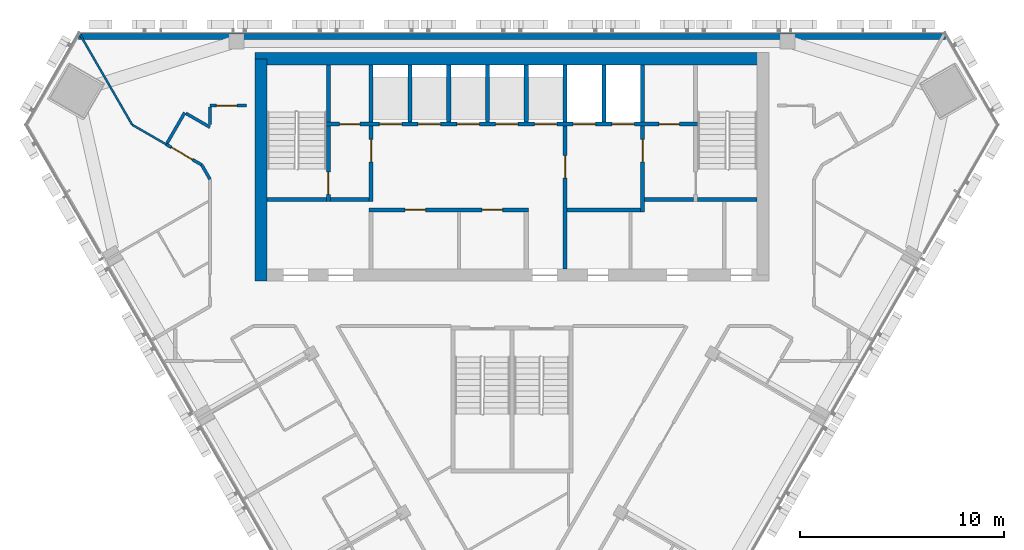
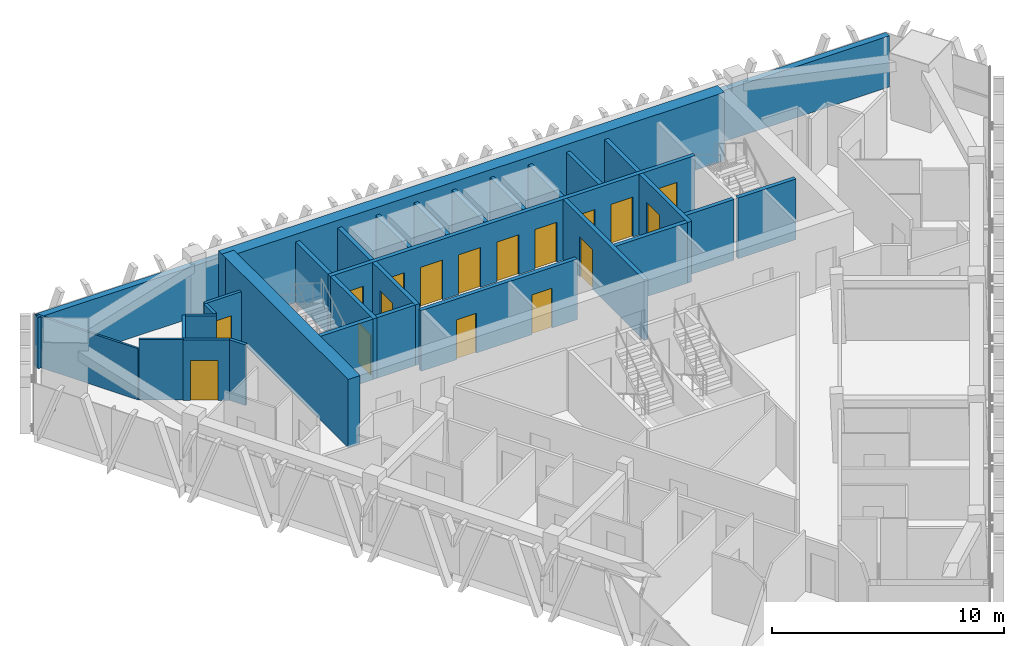
# One storey, part 10 of 15: 31 walls, 17 doors, 17 openings.
"""IFC4 building model written with IfcOpenShell, lengths in metres."""

import ifcopenshell
import ifcopenshell.guid

model = None  # the IFC model being written
_history = None  # IfcOwnerHistory: only IFC2X3 demands one
_inside = {}  # id of a spatial element -> (the spatial element, [elements in it])
_under = {}  # id of a project, library or spatial element -> (it, [spatial elements below it])
_declared = {}  # id of a project -> (the project, [libraries it declares])
_typed = {}  # id of a type object -> (the type object, [elements of that type])
_made_of = {}  # id of a material, layer set ... -> (it, [elements and type objects made of it])


def new_model(schema):
    """Start an empty IFC model of exactly this schema.

    Asked for "IFC4X3", IfcOpenShell would pick the latest addendum, in which some entities
    have other attributes; the version numbers below select the first issue.
    IFC2X3 requires an IfcOwnerHistory on every rooted entity: one is made here for all.
    """
    global model, _history
    if schema == "IFC4X3":
        model = ifcopenshell.file(schema_version=(4, 3, 0, 0))
    else:
        model = ifcopenshell.file(schema=schema)
    _inside.clear()
    _under.clear()
    _declared.clear()
    _typed.clear()
    _made_of.clear()
    _history = None
    if model.schema == "IFC2X3":
        org = make("IfcOrganization", Name="unknown")
        user = make(
            "IfcPersonAndOrganization",
            ThePerson=make("IfcPerson", FamilyName="unknown"),
            TheOrganization=org,
        )
        app = make(
            "IfcApplication",
            ApplicationDeveloper=org,
            Version="unknown",
            ApplicationFullName="unknown",
            ApplicationIdentifier="unknown",
        )
        _history = make(
            "IfcOwnerHistory",
            OwningUser=user,
            OwningApplication=app,
            ChangeAction="ADDED",
            CreationDate=0,
        )
    return model


def make(cls, **values):
    """One entity of the class cls with the attributes given. An attribute that is None is left unset."""
    return model.create_entity(
        cls, **{name: value for name, value in values.items() if value is not None}
    )


def rooted(cls, **values):
    """An entity with a GlobalId (a new one), such as an element, a storey or a relation."""
    return make(cls, GlobalId=ifcopenshell.guid.new(), OwnerHistory=_history, **values)


def si_unit(unit_type, name, prefix=None):
    """IfcSIUnit, for example si_unit("LENGTHUNIT", "METRE", prefix="MILLI")."""
    return make("IfcSIUnit", UnitType=unit_type, Prefix=prefix, Name=name)


def assignment(units):
    """IfcUnitAssignment: the units of a project."""
    return None if units is None else make("IfcUnitAssignment", Units=units)


def point(xyz):
    """IfcCartesianPoint."""
    return None if xyz is None else make("IfcCartesianPoint", Coordinates=xyz)


def direction(xyz):
    """IfcDirection."""
    return None if xyz is None else make("IfcDirection", DirectionRatios=xyz)


def frame(location, z_axis=None, x_axis=None):
    """IfcAxis2Placement3D, a coordinate frame: its origin and axes. An axis left out is left unset."""
    return make(
        "IfcAxis2Placement3D",
        Location=point(location),
        Axis=direction(z_axis),
        RefDirection=direction(x_axis),
    )


def frame_2d(location, x_axis=None):
    """IfcAxis2Placement2D, a coordinate frame in the plane: its origin and x axis."""
    return make(
        "IfcAxis2Placement2D", Location=point(location), RefDirection=direction(x_axis)
    )


def origin():
    """The frame at (0, 0, 0) with its axes left unset."""
    return frame((0.0, 0.0, 0.0))


def place(relative_to, where):
    """IfcLocalPlacement: puts the frame where relative to a parent placement (None: the world)."""
    return make(
        "IfcLocalPlacement", PlacementRelTo=relative_to, RelativePlacement=where
    )


def context(
    kind, dimensions, precision=None, world=None, true_north=None, identifier=None
):
    """IfcGeometricRepresentationContext, for example the 3D "Model" context."""
    return make(
        "IfcGeometricRepresentationContext",
        ContextIdentifier=identifier,
        ContextType=kind,
        CoordinateSpaceDimension=dimensions,
        Precision=precision,
        WorldCoordinateSystem=world,
        TrueNorth=true_north,
    )


def subcontext(parent, identifier, kind, view, scale=None):
    """IfcGeometricRepresentationSubContext, for example "Body" below "Model"."""
    return make(
        "IfcGeometricRepresentationSubContext",
        ContextIdentifier=identifier,
        ContextType=kind,
        ParentContext=parent,
        TargetScale=scale,
        TargetView=view,
    )


def project(units=None, contexts=None):
    """IfcProject with its units and contexts."""
    return rooted(
        "IfcProject",
        Name="project",
        RepresentationContexts=contexts,
        UnitsInContext=assignment(units),
    )


def spatial(cls, under=None, at=None, **own):
    """A site, building, storey or space (cls), placed at a placement, below another one or the project."""
    s = rooted(cls, ObjectPlacement=at, **own)
    if under is not None:
        _under.setdefault(under.id(), (under, []))[1].append(s)
    return s


def profile(cls, at=None, kind="AREA", **sizes):
    """A parametric profile (cls). Its sizes go by their IFC names, for example OverallWidth=200.0."""
    return make(cls, ProfileType=kind, Position=at, **sizes)


def rectangle(**sizes):
    """IfcRectangleProfileDef."""
    return profile("IfcRectangleProfileDef", **sizes)


def extrude(swept, where, along, depth):
    """IfcExtrudedAreaSolid: the profile swept, set in the frame where, extruded along a direction by depth."""
    return make(
        "IfcExtrudedAreaSolid",
        SweptArea=swept,
        Position=where,
        ExtrudedDirection=direction(along),
        Depth=depth,
    )


def shape(context_of_items, identifier, shape_type, items):
    """IfcShapeRepresentation: the items that make up one representation, for example the "Body"."""
    return make(
        "IfcShapeRepresentation",
        ContextOfItems=context_of_items,
        RepresentationIdentifier=identifier,
        RepresentationType=shape_type,
        Items=items,
    )


def material(Name=None, Category=None):
    """IfcMaterial."""
    return make("IfcMaterial", Name=Name, Category=Category)


def layer(
    of_material, thickness, ventilated=None, Name=None, Category=None, Priority=None
):
    """IfcMaterialLayer: one layer of a wall or slab, of a material (None: an air gap)."""
    return make(
        "IfcMaterialLayer",
        Material=of_material,
        LayerThickness=thickness,
        IsVentilated=ventilated,
        Name=Name,
        Category=Category,
        Priority=Priority,
    )


def layer_set(layers, Name=None):
    """IfcMaterialLayerSet."""
    return make("IfcMaterialLayerSet", MaterialLayers=layers, LayerSetName=Name)


def made_of(thing, what):
    """Note that an element or type object is made of a material, layer set ...; save() writes the relation."""
    if what is not None:
        _made_of.setdefault(what.id(), (what, []))[1].append(thing)
    return thing


def type_object(cls, material=None, **own):
    """A type object (cls), such as IfcWallType, which elements share."""
    return made_of(rooted(cls, **own), material)


def element(
    cls,
    number,
    at=None,
    inside=None,
    cuts=None,
    type_object=None,
    material=None,
    context=None,
    identifier="Body",
    shape_type=None,
    held_by="IfcProductDefinitionShape",
    body=None,
    shapes=None,
    **own,
):
    """One element of the class cls, such as IfcWall. Its Tag is "e" and its number.

    at: its placement. inside: the storey or other place that contains it. cuts: it is an
    opening in that element (IfcRelVoidsElement). A single representation is given by context,
    identifier, shape_type and body (its items); several are given by shapes. held_by: the class
    of the entity that holds the representations. save() writes the other relations.
    """
    e = rooted(cls, Tag="e%d" % number, ObjectPlacement=at, **own)
    if body is not None:
        shapes = [shape(context, identifier, shape_type, body)]
    if shapes is not None:
        e.Representation = make(held_by, Representations=shapes)
    if inside is not None:
        _inside.setdefault(inside.id(), (inside, []))[1].append(e)
    if cuts is not None:
        rooted(
            "IfcRelVoidsElement", RelatingBuildingElement=cuts, RelatedOpeningElement=e
        )
    if type_object is not None:
        _typed.setdefault(type_object.id(), (type_object, []))[1].append(e)
    return made_of(e, material)


def fill(opening, filler):
    """IfcRelFillsElement: the door or window that sits in an opening."""
    return rooted(
        "IfcRelFillsElement",
        RelatingOpeningElement=opening,
        RelatedBuildingElement=filler,
    )


def aggregate(whole, parts):
    """IfcRelAggregates: a whole, such as a stair, and the parts it consists of."""
    return rooted("IfcRelAggregates", RelatingObject=whole, RelatedObjects=parts)


def save(model, path):
    """Write the relations noted so far, then the file.

    IfcRelAggregates (storeys below a building ...), IfcRelContainedInSpatialStructure (elements
    in a storey), IfcRelDefinesByType, IfcRelAssociatesMaterial and IfcRelDeclares: one each for
    every whole, place, type object, material and project.
    """
    for whole, parts in _under.values():
        aggregate(whole, parts)
    for where, things in _inside.values():
        rooted(
            "IfcRelContainedInSpatialStructure",
            RelatedElements=things,
            RelatingStructure=where,
        )
    for kind, things in _typed.values():
        rooted("IfcRelDefinesByType", RelatedObjects=things, RelatingType=kind)
    for what, things in _made_of.values():
        rooted("IfcRelAssociatesMaterial", RelatedObjects=things, RelatingMaterial=what)
    for by, libraries in _declared.values():
        rooted("IfcRelDeclares", RelatingContext=by, RelatedDefinitions=libraries)
    model.write(path)


model = new_model("IFC4")

# Units and contexts
model_context = context("Model", 3, precision=1e-05, world=origin(), true_north=direction((0.0, 1.0)))
body_context = subcontext(model_context, "Body", "Model", "MODEL_VIEW")
ifc_project = project(units=[si_unit("LENGTHUNIT", "METRE"), si_unit("AREAUNIT", "SQUARE_METRE"), si_unit("VOLUMEUNIT", "CUBIC_METRE"), si_unit("PLANEANGLEUNIT", "RADIAN"), si_unit("MASSUNIT", "GRAM", prefix="KILO")], contexts=[model_context])

# Site, building, storey
site_placement = place(None, origin())
site = spatial("IfcSite", under=ifc_project, at=site_placement, CompositionType="ELEMENT")
building_placement = place(site_placement, origin())
building = spatial("IfcBuilding", under=site, at=building_placement, Name="Altiplano Prism Tower", CompositionType="ELEMENT")
storey_placement = place(building_placement, frame((0.0, 0.0, 250.0)))
storey = spatial("IfcBuildingStorey", under=building, at=storey_placement, Name="L64", CompositionType="ELEMENT", Elevation=250.0)

# Walls
ifc_material_1 = material(Name="Concrete C60/75", Category="concrete")
ifc_layer_1 = layer(ifc_material_1, 0.60009765625)
ifc_layer_set_1 = layer_set([ifc_layer_1], Name="Concrete C60/75")
wall_type_1 = type_object("IfcWallType", Name="Core wall 600", PredefinedType="SHEAR", material=ifc_layer_set_1)
wall_1_placement = place(storey_placement, frame((97.300048828125, 103.699951171875, 0.0), z_axis=(0.0, 0.0, 1.0), x_axis=(-1.0, 0.0, 0.0)))
element("IfcWall", 1, at=wall_1_placement, inside=storey, type_object=wall_type_1, Name="Core wall N L64", PredefinedType="SHEAR", context=body_context, shape_type="SweptSolid", body=[
    extrude(rectangle(XDim=24.900146484375, YDim=0.60009765625, at=frame_2d((12.4501953125, 0.0))), origin(), (0.0, 0.0, 1.0), 3.60009765625),
])
wall_2_placement = place(storey_placement, frame((72.699951171875, 103.699951171875, 0.0), z_axis=(0.0, 0.0, 1.0), x_axis=(0.0, -1.0, 0.0)))
element("IfcWall", 2, at=wall_2_placement, inside=storey, type_object=wall_type_1, Name="Core wall W L64", PredefinedType="SHEAR", context=body_context, shape_type="SweptSolid", body=[
    extrude(rectangle(XDim=10.89990234375, YDim=0.60009765625, at=frame_2d((5.449951171875, 0.0))), origin(), (0.0, 0.0, 1.0), 3.60009765625),
])
ifc_material_2 = material(Name="Plasterboard on steel stud", Category="steel")
ifc_layer_2 = layer(ifc_material_2, 0.10009765625)
ifc_layer_set_2 = layer_set([ifc_layer_2], Name="Plasterboard on steel stud")
wall_type_2 = type_object("IfcWallType", Name="Partition 100 wet", PredefinedType="PARTITIONING", material=ifc_layer_set_2)
wall_3_placement = place(storey_placement, frame((68.062255859375, 99.50048828125, 0.0), z_axis=(0.0, 0.0, 1.0), x_axis=(-0.866047038303, 0.499962526042, 0.0)))
element("IfcWall", 3, at=wall_3_placement, inside=storey, type_object=wall_type_2, Name="Partition P03 L64 041", PredefinedType="PARTITIONING", context=body_context, shape_type="SweptSolid", body=[
    extrude(rectangle(XDim=1.936767578125, YDim=0.10009765625, at=frame_2d((0.96826171875, 0.0))), origin(), (0.0, 0.0, 1.0), 3.199951171875),
])
wall_4_placement = place(storey_placement, frame((66.385009765625, 100.46875, 0.0), z_axis=(0.0, 0.0, 1.0), x_axis=(-0.500003314297, 0.866023490266, 0.0)))
element("IfcWall", 4, at=wall_4_placement, inside=storey, type_object=wall_type_2, Name="Partition P03 L64 042", PredefinedType="PARTITIONING", context=body_context, shape_type="SweptSolid", body=[
    extrude(rectangle(XDim=5.11669921875, YDim=0.10009765625, at=frame_2d((2.558349609375, 0.0))), origin(), (0.0, 0.0, 1.0), 2.699951171875),
])

# Wall, opening, door
ifc_layer_3 = layer(ifc_material_2, 0.14990234375)
ifc_layer_set_3 = layer_set([ifc_layer_3], Name="Plasterboard on steel stud")
wall_type_3 = type_object("IfcWallType", Name="Partition 150 corridor", PredefinedType="PARTITIONING", material=ifc_layer_set_3)
wall_5_placement = place(storey_placement, frame((68.045654296875, 99.510009765625, 0.0), z_axis=(0.0, 0.0, 1.0), x_axis=(0.866040685659, -0.499973530083, 0.0)))
wall_5 = element("IfcWall", 5, at=wall_5_placement, inside=storey, type_object=wall_type_3, Name="Partition P06 L64 005", PredefinedType="PARTITIONING", context=body_context, shape_type="SweptSolid", body=[
    extrude(rectangle(XDim=2.02001953125, YDim=0.14990234375, at=frame_2d((1.010009765625, 0.0))), origin(), (0.0, 0.0, 1.0), 3.199951171875),
])
opening_1_placement = place(wall_5_placement, frame((0.306884765625, 0.0, 0.0)))
opening_1 = element("IfcOpeningElement", 6, at=opening_1_placement, cuts=wall_5, Name="Opening D2084", PredefinedType="OPENING", context=body_context, shape_type="SweptSolid", body=[
    extrude(rectangle(XDim=1.199951171875, YDim=2.10009765625, at=frame_2d((0.60009765625, 1.050048828125))), frame((0.0, 0.08544921875, 0.0), z_axis=(0.0, -1.0, 0.0), x_axis=(1.0, 0.0, 0.0)), (0.0, 0.0, 1.0), 0.1708984375),
])
ifc_material_3 = material(Name="Timber", Category="wood")
door_type_1 = type_object("IfcDoorType", Name="Shared room door 1200 x 2100", OperationType="NOTDEFINED", PredefinedType="NOTDEFINED", material=ifc_material_3)
door_1_placement = place(opening_1_placement, origin())
door_1 = element("IfcDoor", 7, at=door_1_placement, inside=storey, type_object=door_type_1, Name="Door D2084", OperationType="SINGLE_SWING_LEFT", OverallHeight=2.10009765625, OverallWidth=1.199951171875, PredefinedType="NOTDEFINED", context=body_context, shape_type="SweptSolid", body=[
    extrude(rectangle(XDim=1.199951171875, YDim=2.10009765625, at=frame_2d((0.60009765625, 1.050048828125))), frame((0.0, 0.02490234375, 0.0), z_axis=(0.0, -1.0, 0.0), x_axis=(1.0, 0.0, 0.0)), (0.0, 0.0, 1.0), 0.050048828125),
])
fill(opening_1, door_1)

# Wall
wall_6_placement = place(storey_placement, frame((69.795166015625, 98.5, 0.0), z_axis=(0.0, 0.0, 1.0), x_axis=(0.499835541916, -0.866120332886, 0.0)))
element("IfcWall", 8, at=wall_6_placement, inside=storey, type_object=wall_type_3, Name="Partition P06 L64 006", PredefinedType="PARTITIONING", context=body_context, shape_type="SweptSolid", body=[
    extrude(rectangle(XDim=0.809814453125, YDim=0.14990234375, at=frame_2d((0.40478515625, 0.0))), origin(), (0.0, 0.0, 1.0), 3.199951171875),
])

# Wall, opening, door
wall_7_placement = place(storey_placement, frame((72.0, 101.40087890625, 0.0), z_axis=(0.0, 0.0, 1.0), x_axis=(-1.0, 0.0, 0.0)))
wall_7 = element("IfcWall", 9, at=wall_7_placement, inside=storey, type_object=wall_type_3, Name="Partition P06 L64 029", PredefinedType="PARTITIONING", context=body_context, shape_type="SweptSolid", body=[
    extrude(rectangle(XDim=1.800537109375, YDim=0.14990234375, at=frame_2d((0.900390625, 0.0))), origin(), (0.0, 0.0, 1.0), 3.199951171875),
])
opening_2_placement = place(wall_7_placement, frame((0.48388671875, 0.0, 0.0)))
opening_2 = element("IfcOpeningElement", 10, at=opening_2_placement, cuts=wall_7, Name="Opening D2109", PredefinedType="OPENING", context=body_context, shape_type="SweptSolid", body=[
    extrude(rectangle(XDim=1.0, YDim=2.10009765625, at=frame_2d((0.5, 1.050048828125))), frame((0.0, 0.08544921875, 0.0), z_axis=(0.0, -1.0, 0.0), x_axis=(1.0, 0.0, 0.0)), (0.0, 0.0, 1.0), 0.1708984375),
])
door_type_2 = type_object("IfcDoorType", Name="Room door 1000 x 2100", OperationType="NOTDEFINED", PredefinedType="NOTDEFINED", material=ifc_material_3)
door_2_placement = place(opening_2_placement, origin())
door_2 = element("IfcDoor", 11, at=door_2_placement, inside=storey, type_object=door_type_2, Name="Door D2109", OperationType="SINGLE_SWING_LEFT", OverallHeight=2.10009765625, OverallWidth=1.0, PredefinedType="NOTDEFINED", context=body_context, shape_type="SweptSolid", body=[
    extrude(rectangle(XDim=1.0, YDim=2.10009765625, at=frame_2d((0.5, 1.050048828125))), frame((0.0, 0.02490234375, 0.0), z_axis=(0.0, -1.0, 0.0), x_axis=(1.0, 0.0, 0.0)), (0.0, 0.0, 1.0), 0.050048828125),
])
fill(opening_2, door_2)

# Walls
wall_8_placement = place(storey_placement, frame((70.199462890625, 101.325927734375, 0.0), z_axis=(0.0, 0.0, 1.0), x_axis=(-0.000574712549, -0.999999834853, 0.0)))
element("IfcWall", 12, at=wall_8_placement, inside=storey, type_object=wall_type_3, Name="Partition P06 L64 030", PredefinedType="PARTITIONING", context=body_context, shape_type="SweptSolid", body=[
    extrude(rectangle(XDim=0.849609375, YDim=0.14990234375, at=frame_2d((0.4248046875, 0.0))), origin(), (0.0, 0.0, 1.0), 3.199951171875),
])
wall_9_placement = place(storey_placement, frame((70.198974609375, 100.346435546875, 0.0), z_axis=(0.0, 0.0, 1.0), x_axis=(-0.866191597034, 0.499712034304, 0.0)))
element("IfcWall", 13, at=wall_9_placement, inside=storey, type_object=wall_type_3, Name="Partition P06 L64 031", PredefinedType="PARTITIONING", context=body_context, shape_type="SweptSolid", body=[
    extrude(rectangle(XDim=1.352294921875, YDim=0.14990234375, at=frame_2d((0.67626953125, 0.0))), origin(), (0.0, 0.0, 1.0), 3.199951171875),
])
wall_10_placement = place(storey_placement, frame((68.962646484375, 101.059814453125, 0.0), z_axis=(0.0, 0.0, 1.0), x_axis=(-0.500110239729, -0.865961747491, 0.0)))
element("IfcWall", 14, at=wall_10_placement, inside=storey, type_object=wall_type_3, Name="Partition P06 L64 032", PredefinedType="PARTITIONING", context=body_context, shape_type="SweptSolid", body=[
    extrude(rectangle(XDim=1.7255859375, YDim=0.14990234375, at=frame_2d((0.86279296875, 0.0))), origin(), (0.0, 0.0, 1.0), 3.199951171875),
])
ifc_layer_4 = layer(ifc_material_1, 0.199951171875)
ifc_layer_set_4 = layer_set([ifc_layer_4], Name="Concrete C60/75")
wall_type_4 = type_object("IfcWallType", Name="Shaft wall 200", PredefinedType="SOLIDWALL", material=ifc_layer_set_4)
for number, where, z_axis, x_axis, name in (
    (15, (78.10009765625, 100.60009765625, 0.0), (0.0, 0.0, 1.0), (0.0, 1.0, 0.0), "Shaft wall L64"),
    (16, (80.0, 100.60009765625, 0.0), (0.0, 0.0, 1.0), (0.0, 1.0, 0.0), "Shaft wall L64"),
    (17, (81.89990234375, 100.60009765625, 0.0), (0.0, 0.0, 1.0), (0.0, 1.0, 0.0), "Shaft wall L64"),
    (18, (83.800048828125, 100.60009765625, 0.0), (0.0, 0.0, 1.0), (0.0, 1.0, 0.0), "Shaft wall L64"),
    (19, (85.699951171875, 100.60009765625, 0.0), (0.0, 0.0, 1.0), (0.0, 1.0, 0.0), "Shaft wall L64"),
    (20, (87.60009765625, 100.60009765625, 0.0), (0.0, 0.0, 1.0), (0.0, 1.0, 0.0), "Shaft wall L64"),
    (21, (89.5, 100.60009765625, 0.0), (0.0, 0.0, 1.0), (0.0, 1.0, 0.0), "Shaft wall L64"),
    (22, (91.39990234375, 100.60009765625, 0.0), (0.0, 0.0, 1.0), (0.0, 1.0, 0.0), "Shaft wall L64"),
):
    element("IfcWall", number, at=place(storey_placement, frame(where, z_axis=z_axis, x_axis=x_axis)), inside=storey, type_object=wall_type_4, Name=name, PredefinedType="SOLIDWALL", context=body_context, shape_type="SweptSolid", body=[
        extrude(rectangle(XDim=2.7998046875, YDim=0.199951171875, at=frame_2d((1.39990234375, 0.0))), origin(), (0.0, 0.0, 1.0), 3.199951171875),
    ])
ifc_layer_5 = layer(ifc_material_1, 0.199951171875)
ifc_layer_set_5 = layer_set([ifc_layer_5], Name="Concrete C60/75")
wall_type_5 = type_object("IfcWallType", Name="Stair wall 200", PredefinedType="SOLIDWALL", material=ifc_layer_set_5)
wall_11_placement = place(storey_placement, frame((73.0, 96.800048828125, 0.0), z_axis=(0.0, 0.0, 1.0), x_axis=(1.0, 0.0, 0.0)))
element("IfcWall", 23, at=wall_11_placement, inside=storey, type_object=wall_type_5, Name="Stair wall L64", PredefinedType="SOLIDWALL", context=body_context, shape_type="SweptSolid", body=[
    extrude(rectangle(XDim=2.89990234375, YDim=0.199951171875, at=frame_2d((1.449951171875, 0.0))), origin(), (0.0, 0.0, 1.0), 3.199951171875),
])

# Wall, opening, door
wall_12_placement = place(storey_placement, frame((76.0, 96.699951171875, 0.0), z_axis=(0.0, 0.0, 1.0), x_axis=(0.0, 1.0, 0.0)))
wall_12 = element("IfcWall", 24, at=wall_12_placement, inside=storey, type_object=wall_type_5, Name="Stair wall L64", PredefinedType="SOLIDWALL", context=body_context, shape_type="SweptSolid", body=[
    extrude(rectangle(XDim=3.699951171875, YDim=0.199951171875, at=frame_2d((1.85009765625, 0.0))), origin(), (0.0, 0.0, 1.0), 3.199951171875),
])
opening_3_placement = place(wall_12_placement, frame((0.35009765625, 0.0, 0.0)))
opening_3 = element("IfcOpeningElement", 25, at=opening_3_placement, cuts=wall_12, Name="Opening D3472", PredefinedType="OPENING", context=body_context, shape_type="SweptSolid", body=[
    extrude(rectangle(XDim=1.10009765625, YDim=2.10009765625, at=frame_2d((0.550048828125, 1.050048828125))), frame((0.0, 0.1103515625, 0.0), z_axis=(0.0, -1.0, 0.0), x_axis=(1.0, 0.0, 0.0)), (0.0, 0.0, 1.0), 0.220947265625),
])
ifc_material_4 = material(Name="Fire-rated steel door", Category="steel")
door_type_3 = type_object("IfcDoorType", Name="Stair fire door 1100 x 2100", OperationType="NOTDEFINED", PredefinedType="NOTDEFINED", material=ifc_material_4)
door_3_placement = place(opening_3_placement, origin())
door_3 = element("IfcDoor", 26, at=door_3_placement, inside=storey, type_object=door_type_3, Name="Stair fire door D3472", OperationType="SINGLE_SWING_RIGHT", OverallHeight=2.10009765625, OverallWidth=1.10009765625, PredefinedType="NOTDEFINED", context=body_context, shape_type="SweptSolid", body=[
    extrude(rectangle(XDim=1.10009765625, YDim=2.10009765625, at=frame_2d((0.550048828125, 1.050048828125))), frame((0.0, 0.02490234375, 0.0), z_axis=(0.0, -1.0, 0.0), x_axis=(1.0, 0.0, 0.0)), (0.0, 0.0, 1.0), 0.050048828125),
])
fill(opening_3, door_3)

# Wall
wall_13_placement = place(storey_placement, frame((94.10009765625, 96.800048828125, 0.0), z_axis=(0.0, 0.0, 1.0), x_axis=(1.0, 0.0, 0.0)))
element("IfcWall", 27, at=wall_13_placement, inside=storey, type_object=wall_type_5, Name="Stair wall L64", PredefinedType="SOLIDWALL", context=body_context, shape_type="SweptSolid", body=[
    extrude(rectangle(XDim=2.89990234375, YDim=0.199951171875, at=frame_2d((1.449951171875, 0.0))), origin(), (0.0, 0.0, 1.0), 3.199951171875),
])

# Wall, openings, doors
wall_14_placement = place(storey_placement, frame((75.89990234375, 100.5, 0.0), z_axis=(0.0, 0.0, 1.0), x_axis=(1.0, 0.0, 0.0)))
wall_14 = element("IfcWall", 28, at=wall_14_placement, inside=storey, type_object=wall_type_5, Name="Stair wall L64", PredefinedType="SOLIDWALL", context=body_context, shape_type="SweptSolid", body=[
    extrude(rectangle(XDim=18.2001953125, YDim=0.199951171875, at=frame_2d((9.10009765625, 0.0))), origin(), (0.0, 0.0, 1.0), 3.199951171875),
])
opening_4_placement = place(wall_14_placement, frame((2.60009765625, 0.0, 0.0)))
opening_4 = element("IfcOpeningElement", 29, at=opening_4_placement, cuts=wall_14, Name="Opening LD-HL1-L64", PredefinedType="OPENING", context=body_context, shape_type="SweptSolid", body=[
    extrude(rectangle(XDim=1.10009765625, YDim=2.10009765625, at=frame_2d((0.550048828125, 1.050048828125))), frame((0.0, 0.1103515625, 0.0), z_axis=(0.0, -1.0, 0.0), x_axis=(1.0, 0.0, 0.0)), (0.0, 0.0, 1.0), 0.220947265625),
])
opening_5_placement = place(wall_14_placement, frame((4.5, 0.0, 0.0)))
opening_5 = element("IfcOpeningElement", 30, at=opening_5_placement, cuts=wall_14, Name="Opening LD-HL2-L64", PredefinedType="OPENING", context=body_context, shape_type="SweptSolid", body=[
    extrude(rectangle(XDim=1.10009765625, YDim=2.10009765625, at=frame_2d((0.550048828125, 1.050048828125))), frame((0.0, 0.1103515625, 0.0), z_axis=(0.0, -1.0, 0.0), x_axis=(1.0, 0.0, 0.0)), (0.0, 0.0, 1.0), 0.220947265625),
])
opening_6_placement = place(wall_14_placement, frame((6.39990234375, 0.0, 0.0)))
opening_6 = element("IfcOpeningElement", 31, at=opening_6_placement, cuts=wall_14, Name="Opening LD-HL3-L64", PredefinedType="OPENING", context=body_context, shape_type="SweptSolid", body=[
    extrude(rectangle(XDim=1.10009765625, YDim=2.10009765625, at=frame_2d((0.550048828125, 1.050048828125))), frame((0.0, 0.1103515625, 0.0), z_axis=(0.0, -1.0, 0.0), x_axis=(1.0, 0.0, 0.0)), (0.0, 0.0, 1.0), 0.220947265625),
])
opening_7_placement = place(wall_14_placement, frame((8.300048828125, 0.0, 0.0)))
opening_7 = element("IfcOpeningElement", 32, at=opening_7_placement, cuts=wall_14, Name="Opening LD-HL4-L64", PredefinedType="OPENING", context=body_context, shape_type="SweptSolid", body=[
    extrude(rectangle(XDim=1.10009765625, YDim=2.10009765625, at=frame_2d((0.550048828125, 1.050048828125))), frame((0.0, 0.1103515625, 0.0), z_axis=(0.0, -1.0, 0.0), x_axis=(1.0, 0.0, 0.0)), (0.0, 0.0, 1.0), 0.220947265625),
])
opening_8_placement = place(wall_14_placement, frame((10.199951171875, 0.0, 0.0)))
opening_8 = element("IfcOpeningElement", 33, at=opening_8_placement, cuts=wall_14, Name="Opening LD-HL5-L64", PredefinedType="OPENING", context=body_context, shape_type="SweptSolid", body=[
    extrude(rectangle(XDim=1.10009765625, YDim=2.10009765625, at=frame_2d((0.550048828125, 1.050048828125))), frame((0.0, 0.1103515625, 0.0), z_axis=(0.0, -1.0, 0.0), x_axis=(1.0, 0.0, 0.0)), (0.0, 0.0, 1.0), 0.220947265625),
])
opening_9_placement = place(wall_14_placement, frame((12.10009765625, 0.0, 0.0)))
opening_9 = element("IfcOpeningElement", 34, at=opening_9_placement, cuts=wall_14, Name="Opening LD-FF1-L64", PredefinedType="OPENING", context=body_context, shape_type="SweptSolid", body=[
    extrude(rectangle(XDim=1.10009765625, YDim=2.10009765625, at=frame_2d((0.550048828125, 1.050048828125))), frame((0.0, 0.1103515625, 0.0), z_axis=(0.0, -1.0, 0.0), x_axis=(1.0, 0.0, 0.0)), (0.0, 0.0, 1.0), 0.220947265625),
])
opening_10_placement = place(wall_14_placement, frame((14.0, 0.0, 0.0)))
opening_10 = element("IfcOpeningElement", 35, at=opening_10_placement, cuts=wall_14, Name="Opening LD-FF2-L64", PredefinedType="OPENING", context=body_context, shape_type="SweptSolid", body=[
    extrude(rectangle(XDim=1.10009765625, YDim=2.10009765625, at=frame_2d((0.550048828125, 1.050048828125))), frame((0.0, 0.1103515625, 0.0), z_axis=(0.0, -1.0, 0.0), x_axis=(1.0, 0.0, 0.0)), (0.0, 0.0, 1.0), 0.220947265625),
])
opening_11_placement = place(wall_14_placement, frame((0.64990234375, 0.0, 0.0)))
opening_11 = element("IfcOpeningElement", 36, at=opening_11_placement, cuts=wall_14, Name="Opening D3480", PredefinedType="OPENING", context=body_context, shape_type="SweptSolid", body=[
    extrude(rectangle(XDim=1.0, YDim=2.10009765625, at=frame_2d((0.5, 1.050048828125))), frame((0.0, 0.1103515625, 0.0), z_axis=(0.0, -1.0, 0.0), x_axis=(1.0, 0.0, 0.0)), (0.0, 0.0, 1.0), 0.220947265625),
])
opening_12_placement = place(wall_14_placement, frame((16.300048828125, 0.0, 0.0)))
opening_12 = element("IfcOpeningElement", 37, at=opening_12_placement, cuts=wall_14, Name="Opening D3481", PredefinedType="OPENING", context=body_context, shape_type="SweptSolid", body=[
    extrude(rectangle(XDim=1.0, YDim=2.10009765625, at=frame_2d((0.5, 1.050048828125))), frame((0.0, 0.1103515625, 0.0), z_axis=(0.0, -1.0, 0.0), x_axis=(1.0, 0.0, 0.0)), (0.0, 0.0, 1.0), 0.220947265625),
])
door_type_4 = type_object("IfcDoorType", Name="Core room door 1000 x 2100", OperationType="NOTDEFINED", PredefinedType="NOTDEFINED", material=ifc_material_4)
door_4_placement = place(opening_11_placement, origin())
door_4 = element("IfcDoor", 38, at=door_4_placement, inside=storey, type_object=door_type_4, Name="Core room door D3480", OperationType="SINGLE_SWING_LEFT", OverallHeight=2.10009765625, OverallWidth=1.0, PredefinedType="NOTDEFINED", context=body_context, shape_type="SweptSolid", body=[
    extrude(rectangle(XDim=1.0, YDim=2.10009765625, at=frame_2d((0.5, 1.050048828125))), frame((0.0, 0.02490234375, 0.0), z_axis=(0.0, -1.0, 0.0), x_axis=(1.0, 0.0, 0.0)), (0.0, 0.0, 1.0), 0.050048828125),
])
fill(opening_11, door_4)
door_5_placement = place(opening_12_placement, origin())
door_5 = element("IfcDoor", 39, at=door_5_placement, inside=storey, type_object=door_type_4, Name="Core room door D3481", OperationType="SINGLE_SWING_RIGHT", OverallHeight=2.10009765625, OverallWidth=1.0, PredefinedType="NOTDEFINED", context=body_context, shape_type="SweptSolid", body=[
    extrude(rectangle(XDim=1.0, YDim=2.10009765625, at=frame_2d((0.5, 1.050048828125))), frame((0.0, 0.02490234375, 0.0), z_axis=(0.0, -1.0, 0.0), x_axis=(1.0, 0.0, 0.0)), (0.0, 0.0, 1.0), 0.050048828125),
])
fill(opening_12, door_5)
ifc_material_5 = material(Name="Stainless steel landing door", Category="steel")
door_type_5 = type_object("IfcDoorType", Name="Landing door 1100 x 2100", OperationType="NOTDEFINED", PredefinedType="NOTDEFINED", material=ifc_material_5)
door_6_placement = place(opening_4_placement, origin())
door_6 = element("IfcDoor", 40, at=door_6_placement, inside=storey, type_object=door_type_5, Name="Landing doors HL1", OperationType="SLIDING_TO_RIGHT", OverallHeight=2.10009765625, OverallWidth=1.10009765625, PredefinedType="NOTDEFINED", context=body_context, shape_type="SweptSolid", body=[
    extrude(rectangle(XDim=1.10009765625, YDim=2.10009765625, at=frame_2d((0.550048828125, 1.050048828125))), frame((0.0, 0.02490234375, 0.0), z_axis=(0.0, -1.0, 0.0), x_axis=(1.0, 0.0, 0.0)), (0.0, 0.0, 1.0), 0.050048828125),
])
fill(opening_4, door_6)
door_7_placement = place(opening_5_placement, origin())
door_7 = element("IfcDoor", 41, at=door_7_placement, inside=storey, type_object=door_type_5, Name="Landing doors HL2", OperationType="SLIDING_TO_LEFT", OverallHeight=2.10009765625, OverallWidth=1.10009765625, PredefinedType="NOTDEFINED", context=body_context, shape_type="SweptSolid", body=[
    extrude(rectangle(XDim=1.10009765625, YDim=2.10009765625, at=frame_2d((0.550048828125, 1.050048828125))), frame((0.0, 0.02490234375, 0.0), z_axis=(0.0, -1.0, 0.0), x_axis=(1.0, 0.0, 0.0)), (0.0, 0.0, 1.0), 0.050048828125),
])
fill(opening_5, door_7)
door_8_placement = place(opening_6_placement, origin())
door_8 = element("IfcDoor", 42, at=door_8_placement, inside=storey, type_object=door_type_5, Name="Landing doors HL3", OperationType="SLIDING_TO_RIGHT", OverallHeight=2.10009765625, OverallWidth=1.10009765625, PredefinedType="NOTDEFINED", context=body_context, shape_type="SweptSolid", body=[
    extrude(rectangle(XDim=1.10009765625, YDim=2.10009765625, at=frame_2d((0.550048828125, 1.050048828125))), frame((0.0, 0.02490234375, 0.0), z_axis=(0.0, -1.0, 0.0), x_axis=(1.0, 0.0, 0.0)), (0.0, 0.0, 1.0), 0.050048828125),
])
fill(opening_6, door_8)
door_9_placement = place(opening_7_placement, origin())
door_9 = element("IfcDoor", 43, at=door_9_placement, inside=storey, type_object=door_type_5, Name="Landing doors HL4", OperationType="SLIDING_TO_LEFT", OverallHeight=2.10009765625, OverallWidth=1.10009765625, PredefinedType="NOTDEFINED", context=body_context, shape_type="SweptSolid", body=[
    extrude(rectangle(XDim=1.10009765625, YDim=2.10009765625, at=frame_2d((0.550048828125, 1.050048828125))), frame((0.0, 0.02490234375, 0.0), z_axis=(0.0, -1.0, 0.0), x_axis=(1.0, 0.0, 0.0)), (0.0, 0.0, 1.0), 0.050048828125),
])
fill(opening_7, door_9)
door_10_placement = place(opening_8_placement, origin())
door_10 = element("IfcDoor", 44, at=door_10_placement, inside=storey, type_object=door_type_5, Name="Landing doors HL5", OperationType="SLIDING_TO_RIGHT", OverallHeight=2.10009765625, OverallWidth=1.10009765625, PredefinedType="NOTDEFINED", context=body_context, shape_type="SweptSolid", body=[
    extrude(rectangle(XDim=1.10009765625, YDim=2.10009765625, at=frame_2d((0.550048828125, 1.050048828125))), frame((0.0, 0.02490234375, 0.0), z_axis=(0.0, -1.0, 0.0), x_axis=(1.0, 0.0, 0.0)), (0.0, 0.0, 1.0), 0.050048828125),
])
fill(opening_8, door_10)
door_11_placement = place(opening_9_placement, origin())
door_11 = element("IfcDoor", 45, at=door_11_placement, inside=storey, type_object=door_type_5, Name="Landing doors FF1", OperationType="SLIDING_TO_RIGHT", OverallHeight=2.10009765625, OverallWidth=1.10009765625, PredefinedType="NOTDEFINED", context=body_context, shape_type="SweptSolid", body=[
    extrude(rectangle(XDim=1.10009765625, YDim=2.10009765625, at=frame_2d((0.550048828125, 1.050048828125))), frame((0.0, 0.02490234375, 0.0), z_axis=(0.0, -1.0, 0.0), x_axis=(1.0, 0.0, 0.0)), (0.0, 0.0, 1.0), 0.050048828125),
])
fill(opening_9, door_11)
door_12_placement = place(opening_10_placement, origin())
door_12 = element("IfcDoor", 46, at=door_12_placement, inside=storey, type_object=door_type_5, Name="Landing doors FF2", OperationType="SLIDING_TO_LEFT", OverallHeight=2.10009765625, OverallWidth=1.10009765625, PredefinedType="NOTDEFINED", context=body_context, shape_type="SweptSolid", body=[
    extrude(rectangle(XDim=1.10009765625, YDim=2.10009765625, at=frame_2d((0.550048828125, 1.050048828125))), frame((0.0, 0.02490234375, 0.0), z_axis=(0.0, -1.0, 0.0), x_axis=(1.0, 0.0, 0.0)), (0.0, 0.0, 1.0), 0.050048828125),
])
fill(opening_10, door_12)

# Walls
wall_15_placement = place(storey_placement, frame((76.0, 100.60009765625, 0.0), z_axis=(0.0, 0.0, 1.0), x_axis=(0.0, 1.0, 0.0)))
element("IfcWall", 47, at=wall_15_placement, inside=storey, type_object=wall_type_5, Name="Stair wall L64", PredefinedType="SOLIDWALL", context=body_context, shape_type="SweptSolid", body=[
    extrude(rectangle(XDim=2.7998046875, YDim=0.199951171875, at=frame_2d((1.39990234375, 0.0))), origin(), (0.0, 0.0, 1.0), 3.199951171875),
])
ifc_material_6 = material(Name="Concrete C40", Category="concrete")
ifc_layer_6 = layer(ifc_material_6, 0.300048828125)
ifc_layer_set_6 = layer_set([ifc_layer_6], Name="Concrete C40")
wall_type_6 = type_object("IfcWallType", Name="Stone-clad external wall 300", PredefinedType="SOLIDWALL", material=ifc_layer_set_6)
wall_16_placement = place(storey_placement, frame((63.768798828125, 104.7900390625, 0.0), z_axis=(0.0, 0.0, 1.0), x_axis=(1.0, 0.0, 0.0)))
element("IfcWall", 48, at=wall_16_placement, inside=storey, type_object=wall_type_6, Name="External wall north face L64", PredefinedType="SOLIDWALL", context=body_context, shape_type="SweptSolid", body=[
    extrude(rectangle(XDim=42.46240234375, YDim=0.300048828125, at=frame_2d((21.231201171875, 0.0))), origin(), (0.0, 0.0, 1.0), 2.699951171875),
])

# Wall, opening, door
ifc_layer_7 = layer(ifc_material_1, 0.199951171875)
ifc_layer_set_7 = layer_set([ifc_layer_7], Name="Concrete C60/75")
wall_type_7 = type_object("IfcWallType", Name="Vestibule wall 200", PredefinedType="PARTITIONING", material=ifc_layer_set_7)
wall_17_placement = place(storey_placement, frame((87.60009765625, 93.39990234375, 0.0), z_axis=(0.0, 0.0, 1.0), x_axis=(0.0, 1.0, 0.0)))
wall_17 = element("IfcWall", 49, at=wall_17_placement, inside=storey, type_object=wall_type_7, Name="Vestibule wall L64", PredefinedType="PARTITIONING", context=body_context, shape_type="SweptSolid", body=[
    extrude(rectangle(XDim=7.0, YDim=0.199951171875, at=frame_2d((3.5, 0.0))), origin(), (0.0, 0.0, 1.0), 3.199951171875),
])
opening_13_placement = place(wall_17_placement, frame((4.449951171875, 0.0, 0.0)))
opening_13 = element("IfcOpeningElement", 50, at=opening_13_placement, cuts=wall_17, Name="Opening D3475", PredefinedType="OPENING", context=body_context, shape_type="SweptSolid", body=[
    extrude(rectangle(XDim=1.10009765625, YDim=2.10009765625, at=frame_2d((0.550048828125, 1.050048828125))), frame((0.0, 0.1103515625, 0.0), z_axis=(0.0, -1.0, 0.0), x_axis=(1.0, 0.0, 0.0)), (0.0, 0.0, 1.0), 0.220947265625),
])
door_type_6 = type_object("IfcDoorType", Name="Vestibule fire door 1100 x 2100", OperationType="NOTDEFINED", PredefinedType="NOTDEFINED", material=ifc_material_4)
door_13_placement = place(opening_13_placement, origin())
door_13 = element("IfcDoor", 51, at=door_13_placement, inside=storey, type_object=door_type_6, Name="Vestibule fire door D3475", OperationType="SINGLE_SWING_RIGHT", OverallHeight=2.10009765625, OverallWidth=1.10009765625, PredefinedType="NOTDEFINED", context=body_context, shape_type="SweptSolid", body=[
    extrude(rectangle(XDim=1.10009765625, YDim=2.10009765625, at=frame_2d((0.550048828125, 1.050048828125))), frame((0.0, 0.02490234375, 0.0), z_axis=(0.0, -1.0, 0.0), x_axis=(1.0, 0.0, 0.0)), (0.0, 0.0, 1.0), 0.050048828125),
])
fill(opening_13, door_13)

# Wall, openings, doors
wall_18_placement = place(storey_placement, frame((78.0, 96.300048828125, 0.0), z_axis=(0.0, 0.0, 1.0), x_axis=(1.0, 0.0, 0.0)))
wall_18 = element("IfcWall", 52, at=wall_18_placement, inside=storey, type_object=wall_type_7, Name="Vestibule wall L64", PredefinedType="PARTITIONING", context=body_context, shape_type="SweptSolid", body=[
    extrude(rectangle(XDim=7.800048828125, YDim=0.199951171875, at=frame_2d((3.89990234375, 0.0))), origin(), (0.0, 0.0, 1.0), 3.199951171875),
])
opening_14_placement = place(wall_18_placement, frame((1.762451171875, 0.0, 0.0)))
opening_14 = element("IfcOpeningElement", 53, at=opening_14_placement, cuts=wall_18, Name="Opening D3485", PredefinedType="OPENING", context=body_context, shape_type="SweptSolid", body=[
    extrude(rectangle(XDim=1.0, YDim=2.10009765625, at=frame_2d((0.5, 1.050048828125))), frame((0.0, 0.1103515625, 0.0), z_axis=(0.0, -1.0, 0.0), x_axis=(1.0, 0.0, 0.0)), (0.0, 0.0, 1.0), 0.220947265625),
])
opening_15_placement = place(wall_18_placement, frame((5.53759765625, 0.0, 0.0)))
opening_15 = element("IfcOpeningElement", 54, at=opening_15_placement, cuts=wall_18, Name="Opening D3486", PredefinedType="OPENING", context=body_context, shape_type="SweptSolid", body=[
    extrude(rectangle(XDim=1.0, YDim=2.10009765625, at=frame_2d((0.5, 1.050048828125))), frame((0.0, 0.1103515625, 0.0), z_axis=(0.0, -1.0, 0.0), x_axis=(1.0, 0.0, 0.0)), (0.0, 0.0, 1.0), 0.220947265625),
])
door_14_placement = place(opening_14_placement, origin())
door_14 = element("IfcDoor", 55, at=door_14_placement, inside=storey, type_object=door_type_4, Name="Core room door D3485", OperationType="SINGLE_SWING_RIGHT", OverallHeight=2.10009765625, OverallWidth=1.0, PredefinedType="NOTDEFINED", context=body_context, shape_type="SweptSolid", body=[
    extrude(rectangle(XDim=1.0, YDim=2.10009765625, at=frame_2d((0.5, 1.050048828125))), frame((0.0, 0.02490234375, 0.0), z_axis=(0.0, -1.0, 0.0), x_axis=(1.0, 0.0, 0.0)), (0.0, 0.0, 1.0), 0.050048828125),
])
fill(opening_14, door_14)
door_15_placement = place(opening_15_placement, origin())
door_15 = element("IfcDoor", 56, at=door_15_placement, inside=storey, type_object=door_type_4, Name="Core room door D3486", OperationType="SINGLE_SWING_RIGHT", OverallHeight=2.10009765625, OverallWidth=1.0, PredefinedType="NOTDEFINED", context=body_context, shape_type="SweptSolid", body=[
    extrude(rectangle(XDim=1.0, YDim=2.10009765625, at=frame_2d((0.5, 1.050048828125))), frame((0.0, 0.02490234375, 0.0), z_axis=(0.0, -1.0, 0.0), x_axis=(1.0, 0.0, 0.0)), (0.0, 0.0, 1.0), 0.050048828125),
])
fill(opening_15, door_15)

# Wall
wall_19_placement = place(storey_placement, frame((87.699951171875, 96.300048828125, 0.0), z_axis=(0.0, 0.0, 1.0), x_axis=(1.0, 0.0, 0.0)))
element("IfcWall", 57, at=wall_19_placement, inside=storey, type_object=wall_type_7, Name="Vestibule wall L64", PredefinedType="PARTITIONING", context=body_context, shape_type="SweptSolid", body=[
    extrude(rectangle(XDim=3.60009765625, YDim=0.199951171875, at=frame_2d((1.800048828125, 0.0))), origin(), (0.0, 0.0, 1.0), 3.199951171875),
])

# Wall, opening, door
wall_20_placement = place(storey_placement, frame((91.39990234375, 96.199951171875, 0.0), z_axis=(0.0, 0.0, 1.0), x_axis=(0.0, 1.0, 0.0)))
wall_20 = element("IfcWall", 58, at=wall_20_placement, inside=storey, type_object=wall_type_7, Name="Vestibule wall L64", PredefinedType="PARTITIONING", context=body_context, shape_type="SweptSolid", body=[
    extrude(rectangle(XDim=4.199951171875, YDim=0.199951171875, at=frame_2d((2.10009765625, 0.0))), origin(), (0.0, 0.0, 1.0), 3.199951171875),
])
opening_16_placement = place(wall_20_placement, frame((2.449951171875, 0.0, 0.0)))
opening_16 = element("IfcOpeningElement", 59, at=opening_16_placement, cuts=wall_20, Name="Opening D3476", PredefinedType="OPENING", context=body_context, shape_type="SweptSolid", body=[
    extrude(rectangle(XDim=1.10009765625, YDim=2.10009765625, at=frame_2d((0.550048828125, 1.050048828125))), frame((0.0, 0.1103515625, 0.0), z_axis=(0.0, -1.0, 0.0), x_axis=(1.0, 0.0, 0.0)), (0.0, 0.0, 1.0), 0.220947265625),
])
door_16_placement = place(opening_16_placement, origin())
door_16 = element("IfcDoor", 60, at=door_16_placement, inside=storey, type_object=door_type_6, Name="Vestibule fire door D3476", OperationType="SINGLE_SWING_LEFT", OverallHeight=2.10009765625, OverallWidth=1.10009765625, PredefinedType="NOTDEFINED", context=body_context, shape_type="SweptSolid", body=[
    extrude(rectangle(XDim=1.10009765625, YDim=2.10009765625, at=frame_2d((0.550048828125, 1.050048828125))), frame((0.0, 0.02490234375, 0.0), z_axis=(0.0, -1.0, 0.0), x_axis=(1.0, 0.0, 0.0)), (0.0, 0.0, 1.0), 0.050048828125),
])
fill(opening_16, door_16)

# Wall
wall_21_placement = place(storey_placement, frame((76.10009765625, 96.800048828125, 0.0), z_axis=(0.0, 0.0, 1.0), x_axis=(1.0, 0.0, 0.0)))
element("IfcWall", 61, at=wall_21_placement, inside=storey, type_object=wall_type_7, Name="Vestibule wall L64", PredefinedType="PARTITIONING", context=body_context, shape_type="SweptSolid", body=[
    extrude(rectangle(XDim=1.89990234375, YDim=0.199951171875, at=frame_2d((0.949951171875, 0.0))), origin(), (0.0, 0.0, 1.0), 3.199951171875),
])

# Wall, opening, door
wall_22_placement = place(storey_placement, frame((78.10009765625, 96.699951171875, 0.0), z_axis=(0.0, 0.0, 1.0), x_axis=(0.0, 1.0, 0.0)))
wall_22 = element("IfcWall", 62, at=wall_22_placement, inside=storey, type_object=wall_type_7, Name="Vestibule wall L64", PredefinedType="PARTITIONING", context=body_context, shape_type="SweptSolid", body=[
    extrude(rectangle(XDim=3.699951171875, YDim=0.199951171875, at=frame_2d((1.85009765625, 0.0))), origin(), (0.0, 0.0, 1.0), 3.199951171875),
])
opening_17_placement = place(wall_22_placement, frame((1.949951171875, 0.0, 0.0)))
opening_17 = element("IfcOpeningElement", 63, at=opening_17_placement, cuts=wall_22, Name="Opening D3474", PredefinedType="OPENING", context=body_context, shape_type="SweptSolid", body=[
    extrude(rectangle(XDim=1.10009765625, YDim=2.10009765625, at=frame_2d((0.550048828125, 1.050048828125))), frame((0.0, 0.1103515625, 0.0), z_axis=(0.0, -1.0, 0.0), x_axis=(1.0, 0.0, 0.0)), (0.0, 0.0, 1.0), 0.220947265625),
])
door_17_placement = place(opening_17_placement, origin())
door_17 = element("IfcDoor", 64, at=door_17_placement, inside=storey, type_object=door_type_6, Name="Vestibule fire door D3474", OperationType="SINGLE_SWING_LEFT", OverallHeight=2.10009765625, OverallWidth=1.10009765625, PredefinedType="NOTDEFINED", context=body_context, shape_type="SweptSolid", body=[
    extrude(rectangle(XDim=1.10009765625, YDim=2.10009765625, at=frame_2d((0.550048828125, 1.050048828125))), frame((0.0, 0.02490234375, 0.0), z_axis=(0.0, -1.0, 0.0), x_axis=(1.0, 0.0, 0.0)), (0.0, 0.0, 1.0), 0.050048828125),
])
fill(opening_17, door_17)

# Wall
wall_23_placement = place(storey_placement, frame((91.5, 96.800048828125, 0.0), z_axis=(0.0, 0.0, 1.0), x_axis=(1.0, 0.0, 0.0)))
element("IfcWall", 65, at=wall_23_placement, inside=storey, type_object=wall_type_7, Name="Vestibule wall L64", PredefinedType="PARTITIONING", context=body_context, shape_type="SweptSolid", body=[
    extrude(rectangle(XDim=2.39990234375, YDim=0.199951171875, at=frame_2d((1.199951171875, 0.0))), origin(), (0.0, 0.0, 1.0), 3.199951171875),
])

save(model, "model.ifc")
